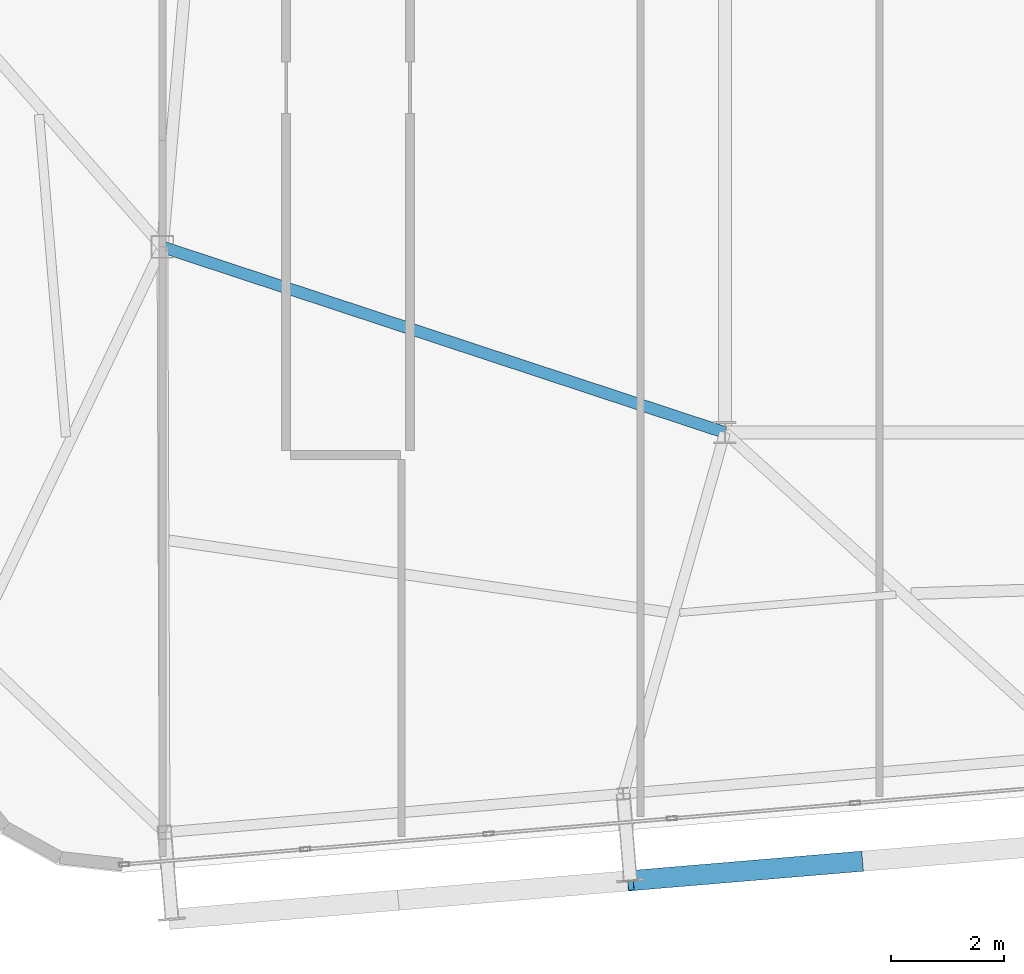
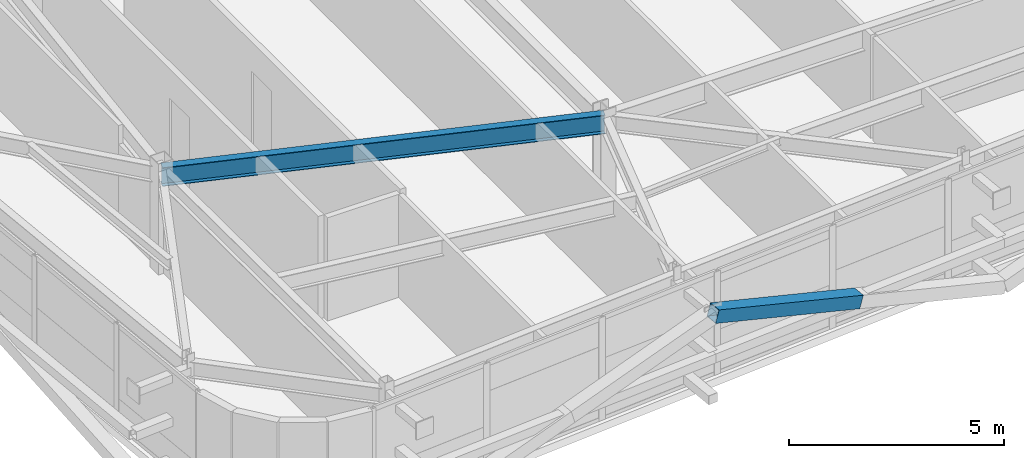
# One storey, part 10 of 44: 1 beam, 1 member.
"""IFC4 building model written with IfcOpenShell, lengths in metres."""

from ifc_helpers import new_model, si_unit, direction, frame, origin, origin_2d, place, context, subcontext, project, spatial, hollow_rectangle, i_section, extrude, source, transform, mapped, material, material_profile, profile_set, type_object, element, save


model = new_model("IFC4")

# Units and contexts
model_context = context("Model", 3, precision=1e-05, world=origin(), true_north=direction((0.0, 1.0)))
body_context = subcontext(model_context, "Body", "Model", "MODEL_VIEW")
ifc_project = project(units=[si_unit("LENGTHUNIT", "METRE"), si_unit("AREAUNIT", "SQUARE_METRE"), si_unit("VOLUMEUNIT", "CUBIC_METRE"), si_unit("PLANEANGLEUNIT", "RADIAN"), si_unit("MASSUNIT", "GRAM", prefix="KILO")], contexts=[model_context])

# Site, building, storey
site_placement = place(None, origin())
site = spatial("IfcSite", under=ifc_project, at=site_placement, CompositionType="ELEMENT")
building_placement = place(site_placement, origin())
building = spatial("IfcBuilding", under=site, at=building_placement, Name="Taldren Reach Tower", CompositionType="ELEMENT")
storey_placement = place(building_placement, frame((0.0, 0.0, 191.449951171875)))
storey = spatial("IfcBuildingStorey", under=building, at=storey_placement, Name="L58", CompositionType="ELEMENT", Elevation=191.449951171875)

# Beam
ifc_material_1 = material(Name="Steel Gr 350 (350PLUS)", Category="steel")
ifc_material_profile_1 = material_profile(ifc_material_1, i_section(OverallWidth=0.208984375, OverallDepth=0.532958984375, WebThickness=0.01025390625, FlangeThickness=0.015625, at=origin_2d()), Name="530UB92.4")
ifc_profile_set_1 = profile_set([ifc_material_profile_1], Name="Steel Gr 350 (350PLUS)")
beam_type = type_object("IfcBeamType", Name="BM-UB530A", PredefinedType="BEAM", material=ifc_profile_set_1)
shared_shape_1 = source(origin(), body_context, "Body", "SweptSolid", [
    extrude(i_section(OverallWidth=0.208984375, OverallDepth=0.532958984375, WebThickness=0.01025390625, FlangeThickness=0.015625, at=origin_2d()), origin(), (0.0, 0.0, 1.0), 10.530517578125),
])
beam_placement = place(storey_placement, frame((18.0, 12.5, 2.66357421875), z_axis=(0.949627269203, -0.313381635689, 0.0), x_axis=(0.313381635689, 0.949627269203, 0.0)))
element("IfcBeam", 1, at=beam_placement, inside=storey, type_object=beam_type, Name="Core-spine girder L58-SP10", PredefinedType="BEAM", context=body_context, shape_type="MappedRepresentation", body=[
    mapped(shared_shape_1, transform((0.0, 0.0, 0.0), scale=1.0)),
])

# Member
ifc_material_2 = material(Name="Steel Gr 450 (C450L0)", Category="steel")
ifc_material_profile_2 = material_profile(ifc_material_2, hollow_rectangle(XDim=0.360107421875, YDim=0.360107421875, WallThickness=0.0126953125, at=origin_2d()), Name="360x360x12.7SHS")
ifc_profile_set_2 = profile_set([ifc_material_profile_2], Name="Steel Gr 450 (C450L0)")
member_type = type_object("IfcMemberType", Name="MB-EXO356", PredefinedType="BRACE", material=ifc_profile_set_2)
shared_shape_2 = source(origin(), body_context, "Body", "SweptSolid", [
    extrude(hollow_rectangle(XDim=0.360107421875, YDim=0.360107421875, WallThickness=0.0126953125, at=origin_2d()), origin(), (0.0, 0.0, 1.0), 4.2666015625),
])
member_placement = place(storey_placement, frame((30.396240234375, 1.576171875, 1.43505859375), z_axis=(-0.955229159097, -0.080222312271, 0.284783486572), x_axis=(0.083687662192, -0.996492034688, 0.0)))
element("IfcMember", 2, at=member_placement, inside=storey, type_object=member_type, Name="Exoskeleton Diagrid Brace B4-S2 L58", PredefinedType="BRACE", context=body_context, shape_type="MappedRepresentation", body=[
    mapped(shared_shape_2, transform((0.0, 0.0, 0.0), scale=1.0)),
])

save(model, "model.ifc")
